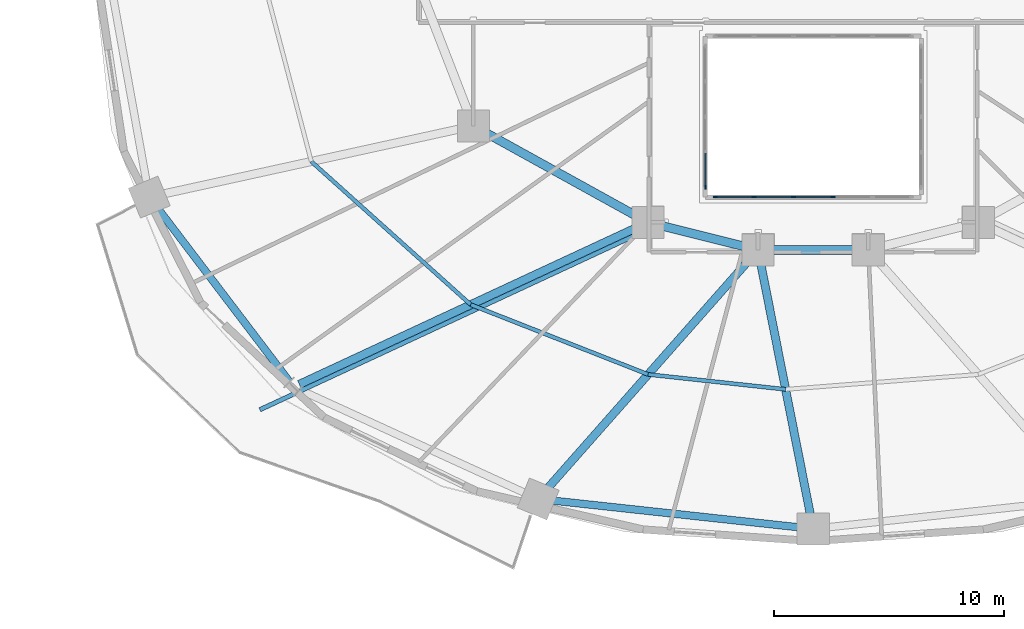
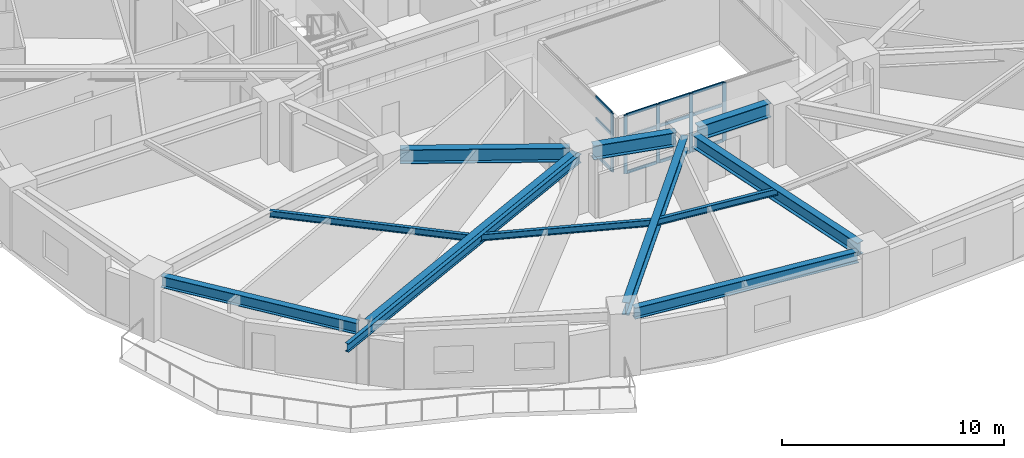
# One storey, part 3 of 17: 17 members, 12 beams, 2 elements without a shape of their own.
"""IFC4 building model written with IfcOpenShell, lengths in metres."""

import ifcopenshell
import ifcopenshell.guid

model = None  # the IFC model being written
_history = None  # IfcOwnerHistory: only IFC2X3 demands one
_inside = {}  # id of a spatial element -> (the spatial element, [elements in it])
_under = {}  # id of a project, library or spatial element -> (it, [spatial elements below it])
_declared = {}  # id of a project -> (the project, [libraries it declares])
_typed = {}  # id of a type object -> (the type object, [elements of that type])
_made_of = {}  # id of a material, layer set ... -> (it, [elements and type objects made of it])


def new_model(schema):
    """Start an empty IFC model of exactly this schema.

    Asked for "IFC4X3", IfcOpenShell would pick the latest addendum, in which some entities
    have other attributes; the version numbers below select the first issue.
    IFC2X3 requires an IfcOwnerHistory on every rooted entity: one is made here for all.
    """
    global model, _history
    if schema == "IFC4X3":
        model = ifcopenshell.file(schema_version=(4, 3, 0, 0))
    else:
        model = ifcopenshell.file(schema=schema)
    _inside.clear()
    _under.clear()
    _declared.clear()
    _typed.clear()
    _made_of.clear()
    _history = None
    if model.schema == "IFC2X3":
        org = make("IfcOrganization", Name="unknown")
        user = make(
            "IfcPersonAndOrganization",
            ThePerson=make("IfcPerson", FamilyName="unknown"),
            TheOrganization=org,
        )
        app = make(
            "IfcApplication",
            ApplicationDeveloper=org,
            Version="unknown",
            ApplicationFullName="unknown",
            ApplicationIdentifier="unknown",
        )
        _history = make(
            "IfcOwnerHistory",
            OwningUser=user,
            OwningApplication=app,
            ChangeAction="ADDED",
            CreationDate=0,
        )
    return model


def make(cls, **values):
    """One entity of the class cls with the attributes given. An attribute that is None is left unset."""
    return model.create_entity(
        cls, **{name: value for name, value in values.items() if value is not None}
    )


def rooted(cls, **values):
    """An entity with a GlobalId (a new one), such as an element, a storey or a relation."""
    return make(cls, GlobalId=ifcopenshell.guid.new(), OwnerHistory=_history, **values)


def si_unit(unit_type, name, prefix=None):
    """IfcSIUnit, for example si_unit("LENGTHUNIT", "METRE", prefix="MILLI")."""
    return make("IfcSIUnit", UnitType=unit_type, Prefix=prefix, Name=name)


def assignment(units):
    """IfcUnitAssignment: the units of a project."""
    return None if units is None else make("IfcUnitAssignment", Units=units)


def point(xyz):
    """IfcCartesianPoint."""
    return None if xyz is None else make("IfcCartesianPoint", Coordinates=xyz)


def direction(xyz):
    """IfcDirection."""
    return None if xyz is None else make("IfcDirection", DirectionRatios=xyz)


def frame(location, z_axis=None, x_axis=None):
    """IfcAxis2Placement3D, a coordinate frame: its origin and axes. An axis left out is left unset."""
    return make(
        "IfcAxis2Placement3D",
        Location=point(location),
        Axis=direction(z_axis),
        RefDirection=direction(x_axis),
    )


def frame_2d(location, x_axis=None):
    """IfcAxis2Placement2D, a coordinate frame in the plane: its origin and x axis."""
    return make(
        "IfcAxis2Placement2D", Location=point(location), RefDirection=direction(x_axis)
    )


def origin():
    """The frame at (0, 0, 0) with its axes left unset."""
    return frame((0.0, 0.0, 0.0))


def origin_2d():
    """The frame at (0, 0) in the plane with its x axis left unset."""
    return frame_2d((0.0, 0.0))


def place(relative_to, where):
    """IfcLocalPlacement: puts the frame where relative to a parent placement (None: the world)."""
    return make(
        "IfcLocalPlacement", PlacementRelTo=relative_to, RelativePlacement=where
    )


def context(
    kind, dimensions, precision=None, world=None, true_north=None, identifier=None
):
    """IfcGeometricRepresentationContext, for example the 3D "Model" context."""
    return make(
        "IfcGeometricRepresentationContext",
        ContextIdentifier=identifier,
        ContextType=kind,
        CoordinateSpaceDimension=dimensions,
        Precision=precision,
        WorldCoordinateSystem=world,
        TrueNorth=true_north,
    )


def subcontext(parent, identifier, kind, view, scale=None):
    """IfcGeometricRepresentationSubContext, for example "Body" below "Model"."""
    return make(
        "IfcGeometricRepresentationSubContext",
        ContextIdentifier=identifier,
        ContextType=kind,
        ParentContext=parent,
        TargetScale=scale,
        TargetView=view,
    )


def project(units=None, contexts=None):
    """IfcProject with its units and contexts."""
    return rooted(
        "IfcProject",
        Name="project",
        RepresentationContexts=contexts,
        UnitsInContext=assignment(units),
    )


def spatial(cls, under=None, at=None, **own):
    """A site, building, storey or space (cls), placed at a placement, below another one or the project."""
    s = rooted(cls, ObjectPlacement=at, **own)
    if under is not None:
        _under.setdefault(under.id(), (under, []))[1].append(s)
    return s


def profile(cls, at=None, kind="AREA", **sizes):
    """A parametric profile (cls). Its sizes go by their IFC names, for example OverallWidth=200.0."""
    return make(cls, ProfileType=kind, Position=at, **sizes)


def rectangle(**sizes):
    """IfcRectangleProfileDef."""
    return profile("IfcRectangleProfileDef", **sizes)


def i_section(**sizes):
    """IfcIShapeProfileDef."""
    return profile("IfcIShapeProfileDef", **sizes)


def extrude(swept, where, along, depth):
    """IfcExtrudedAreaSolid: the profile swept, set in the frame where, extruded along a direction by depth."""
    return make(
        "IfcExtrudedAreaSolid",
        SweptArea=swept,
        Position=where,
        ExtrudedDirection=direction(along),
        Depth=depth,
    )


def shape(context_of_items, identifier, shape_type, items):
    """IfcShapeRepresentation: the items that make up one representation, for example the "Body"."""
    return make(
        "IfcShapeRepresentation",
        ContextOfItems=context_of_items,
        RepresentationIdentifier=identifier,
        RepresentationType=shape_type,
        Items=items,
    )


def material(Name=None, Category=None):
    """IfcMaterial."""
    return make("IfcMaterial", Name=Name, Category=Category)


def material_profile(
    of_material, cross_section, Name=None, Category=None, Priority=None
):
    """IfcMaterialProfile: a cross section and its material."""
    return make(
        "IfcMaterialProfile",
        Name=Name,
        Material=of_material,
        Profile=cross_section,
        Priority=Priority,
        Category=Category,
    )


def profile_set(profiles, Name=None, composite=None):
    """IfcMaterialProfileSet."""
    return make(
        "IfcMaterialProfileSet",
        Name=Name,
        MaterialProfiles=profiles,
        CompositeProfile=composite,
    )


def made_of(thing, what):
    """Note that an element or type object is made of a material, layer set ...; save() writes the relation."""
    if what is not None:
        _made_of.setdefault(what.id(), (what, []))[1].append(thing)
    return thing


def type_object(cls, material=None, **own):
    """A type object (cls), such as IfcWallType, which elements share."""
    return made_of(rooted(cls, **own), material)


def element(
    cls,
    number,
    at=None,
    inside=None,
    cuts=None,
    type_object=None,
    material=None,
    context=None,
    identifier="Body",
    shape_type=None,
    held_by="IfcProductDefinitionShape",
    body=None,
    shapes=None,
    **own,
):
    """One element of the class cls, such as IfcWall. Its Tag is "e" and its number.

    at: its placement. inside: the storey or other place that contains it. cuts: it is an
    opening in that element (IfcRelVoidsElement). A single representation is given by context,
    identifier, shape_type and body (its items); several are given by shapes. held_by: the class
    of the entity that holds the representations. save() writes the other relations.
    """
    e = rooted(cls, Tag="e%d" % number, ObjectPlacement=at, **own)
    if body is not None:
        shapes = [shape(context, identifier, shape_type, body)]
    if shapes is not None:
        e.Representation = make(held_by, Representations=shapes)
    if inside is not None:
        _inside.setdefault(inside.id(), (inside, []))[1].append(e)
    if cuts is not None:
        rooted(
            "IfcRelVoidsElement", RelatingBuildingElement=cuts, RelatedOpeningElement=e
        )
    if type_object is not None:
        _typed.setdefault(type_object.id(), (type_object, []))[1].append(e)
    return made_of(e, material)


def aggregate(whole, parts):
    """IfcRelAggregates: a whole, such as a stair, and the parts it consists of."""
    return rooted("IfcRelAggregates", RelatingObject=whole, RelatedObjects=parts)


def save(model, path):
    """Write the relations noted so far, then the file.

    IfcRelAggregates (storeys below a building ...), IfcRelContainedInSpatialStructure (elements
    in a storey), IfcRelDefinesByType, IfcRelAssociatesMaterial and IfcRelDeclares: one each for
    every whole, place, type object, material and project.
    """
    for whole, parts in _under.values():
        aggregate(whole, parts)
    for where, things in _inside.values():
        rooted(
            "IfcRelContainedInSpatialStructure",
            RelatedElements=things,
            RelatingStructure=where,
        )
    for kind, things in _typed.values():
        rooted("IfcRelDefinesByType", RelatedObjects=things, RelatingType=kind)
    for what, things in _made_of.values():
        rooted("IfcRelAssociatesMaterial", RelatedObjects=things, RelatingMaterial=what)
    for by, libraries in _declared.values():
        rooted("IfcRelDeclares", RelatingContext=by, RelatedDefinitions=libraries)
    model.write(path)


model = new_model("IFC4")

# Units and contexts
model_context = context("Model", 3, precision=1e-05, world=origin(), true_north=direction((0.0, 1.0)))
body_context = subcontext(model_context, "Body", "Model", "MODEL_VIEW")
ifc_project = project(units=[si_unit("LENGTHUNIT", "METRE"), si_unit("AREAUNIT", "SQUARE_METRE"), si_unit("VOLUMEUNIT", "CUBIC_METRE"), si_unit("PLANEANGLEUNIT", "RADIAN"), si_unit("MASSUNIT", "GRAM", prefix="KILO")], contexts=[model_context])

# Site, building, storey
site_placement = place(None, origin())
site = spatial("IfcSite", under=ifc_project, at=site_placement, CompositionType="ELEMENT")
building_placement = place(site_placement, origin())
building = spatial("IfcBuilding", under=site, at=building_placement, Name="Haldorwick Loom Tower", CompositionType="ELEMENT")
storey_placement = place(building_placement, frame((0.0, 0.0, 37.800048828125)))
storey = spatial("IfcBuildingStorey", under=building, at=storey_placement, Name="L09", CompositionType="ELEMENT", Elevation=37.800048828125)

# Curtain wall, members
ifc_material_1 = material(Name="Thermally Broken Anodized Aluminium Curtain Wall Framing", Category="aluminium")
curtain_wall_type = type_object("IfcCurtainWallType", Name="ARC-CW-03", PredefinedType="NOTDEFINED", material=ifc_material_1)
curtain_wall_1_placement = place(storey_placement, origin())
curtain_wall_1 = element("IfcCurtainWall", 1, at=curtain_wall_1_placement, inside=storey, type_object=curtain_wall_type, Name="L09 Atrium Glazed Screen S", PredefinedType="NOTDEFINED")
ifc_material_profile_1 = material_profile(ifc_material_1, rectangle(XDim=0.06591796875, YDim=0.18505859375, at=origin_2d()), Name="ALU_MUL_66X185", Category="aluminium")
ifc_profile_set_1 = profile_set([ifc_material_profile_1], Name="Thermally Broken Anodized Aluminium Curtain Wall Framing")
member_type_1 = type_object("IfcMemberType", Name="ARC-CWM-03", PredefinedType="MULLION", material=ifc_profile_set_1)
member_1_placement = place(storey_placement, frame((36.860107421875, 16.699951171875, 0.0), z_axis=(0.0, 0.0, 1.0), x_axis=(0.0, -1.0, 0.0)))
member_1 = element("IfcMember", 2, at=member_1_placement, type_object=member_type_1, Name="CW-03 mullion 3", PredefinedType="MULLION", context=body_context, shape_type="SweptSolid", body=[
    extrude(rectangle(XDim=0.06591796875, YDim=0.18505859375, at=origin_2d()), origin(), (0.0, 0.0, 1.0), 3.2099609375),
])
member_2_placement = place(storey_placement, frame((35.139892578125, 16.699951171875, 0.0), z_axis=(0.0, 0.0, 1.0), x_axis=(0.0, -1.0, 0.0)))
member_2 = element("IfcMember", 3, at=member_2_placement, type_object=member_type_1, Name="CW-03 mullion 4", PredefinedType="MULLION", context=body_context, shape_type="SweptSolid", body=[
    extrude(rectangle(XDim=0.06591796875, YDim=0.18505859375, at=origin_2d()), origin(), (0.0, 0.0, 1.0), 3.2099609375),
])
member_3_placement = place(storey_placement, frame((33.419921875, 16.699951171875, 0.0), z_axis=(0.0, 0.0, 1.0), x_axis=(0.0, -1.0, 0.0)))
member_3 = element("IfcMember", 4, at=member_3_placement, type_object=member_type_1, Name="CW-03 mullion 5", PredefinedType="MULLION", context=body_context, shape_type="SweptSolid", body=[
    extrude(rectangle(XDim=0.06591796875, YDim=0.18505859375, at=origin_2d()), origin(), (0.0, 0.0, 1.0), 3.2099609375),
])
member_4_placement = place(storey_placement, frame((31.73291015625, 16.699951171875, 0.0), z_axis=(0.0, 0.0, 1.0), x_axis=(0.0, -1.0, 0.0)))
member_4 = element("IfcMember", 5, at=member_4_placement, type_object=member_type_1, Name="CW-03 mullion 6", PredefinedType="MULLION", context=body_context, shape_type="SweptSolid", body=[
    extrude(rectangle(XDim=0.06591796875, YDim=0.18505859375, at=origin_2d()), origin(), (0.0, 0.0, 1.0), 3.2099609375),
])

# Curtain wall, member
curtain_wall_2_placement = place(storey_placement, origin())
curtain_wall_2 = element("IfcCurtainWall", 6, at=curtain_wall_2_placement, inside=storey, type_object=curtain_wall_type, Name="L09 Atrium Glazed Screen W", PredefinedType="NOTDEFINED")
member_5_placement = place(storey_placement, frame((31.300048828125, 17.133056640625, 0.0), z_axis=(0.0, 0.0, 1.0), x_axis=(-1.0, 0.0, 0.0)))
member_5 = element("IfcMember", 7, at=member_5_placement, type_object=member_type_1, Name="CW-03 mullion 1", PredefinedType="MULLION", context=body_context, shape_type="SweptSolid", body=[
    extrude(rectangle(XDim=0.06591796875, YDim=0.18505859375, at=origin_2d()), origin(), (0.0, 0.0, 1.0), 3.2099609375),
])

# Member
ifc_material_profile_2 = material_profile(ifc_material_1, rectangle(XDim=0.06591796875, YDim=0.1650390625, at=origin_2d()), Name="ALU_TRN_66X165", Category="aluminium")
ifc_profile_set_2 = profile_set([ifc_material_profile_2], Name="Thermally Broken Anodized Aluminium Curtain Wall Framing")
member_type_2 = type_object("IfcMemberType", Name="ARC-CWT-03", PredefinedType="USERDEFINED", material=ifc_profile_set_2)
member_6_placement = place(storey_placement, frame((36.826904296875, 16.699951171875, 0.032958984375), z_axis=(-1.0, 0.0, 0.0), x_axis=(0.0, -1.0, 0.0)))
member_6 = element("IfcMember", 8, at=member_6_placement, type_object=member_type_2, Name="CW-03 transom 3.1", ObjectType="TRANSOM", PredefinedType="USERDEFINED", context=body_context, shape_type="SweptSolid", body=[
    extrude(rectangle(XDim=0.06591796875, YDim=0.1650390625, at=origin_2d()), origin(), (0.0, 0.0, 1.0), 1.65380859375),
])

member_7_placement = place(storey_placement, frame((36.826904296875, 16.699951171875, 2.0), z_axis=(-1.0, 0.0, 0.0), x_axis=(0.0, -1.0, 0.0)))
member_7 = element("IfcMember", 9, at=member_7_placement, type_object=member_type_2, Name="CW-03 transom 3.2", ObjectType="TRANSOM", PredefinedType="USERDEFINED", context=body_context, shape_type="SweptSolid", body=[
    extrude(rectangle(XDim=0.06591796875, YDim=0.1650390625, at=origin_2d()), origin(), (0.0, 0.0, 1.0), 1.65380859375),
])

member_8_placement = place(storey_placement, frame((36.826904296875, 16.699951171875, 3.177001953125), z_axis=(-1.0, 0.0, 0.0), x_axis=(0.0, -1.0, 0.0)))
member_8 = element("IfcMember", 10, at=member_8_placement, type_object=member_type_2, Name="CW-03 transom 3.3", ObjectType="TRANSOM", PredefinedType="USERDEFINED", context=body_context, shape_type="SweptSolid", body=[
    extrude(rectangle(XDim=0.06591796875, YDim=0.1650390625, at=origin_2d()), origin(), (0.0, 0.0, 1.0), 1.65380859375),
])

member_9_placement = place(storey_placement, frame((35.10693359375, 16.699951171875, 0.032958984375), z_axis=(-1.0, 0.0, 0.0), x_axis=(0.0, -1.0, 0.0)))
member_9 = element("IfcMember", 11, at=member_9_placement, type_object=member_type_2, Name="CW-03 transom 4.1", ObjectType="TRANSOM", PredefinedType="USERDEFINED", context=body_context, shape_type="SweptSolid", body=[
    extrude(rectangle(XDim=0.06591796875, YDim=0.1650390625, at=origin_2d()), origin(), (0.0, 0.0, 1.0), 1.654052734375),
])

member_10_placement = place(storey_placement, frame((35.10693359375, 16.699951171875, 2.0), z_axis=(-1.0, 0.0, 0.0), x_axis=(0.0, -1.0, 0.0)))
member_10 = element("IfcMember", 12, at=member_10_placement, type_object=member_type_2, Name="CW-03 transom 4.2", ObjectType="TRANSOM", PredefinedType="USERDEFINED", context=body_context, shape_type="SweptSolid", body=[
    extrude(rectangle(XDim=0.06591796875, YDim=0.1650390625, at=origin_2d()), origin(), (0.0, 0.0, 1.0), 1.654052734375),
])

member_11_placement = place(storey_placement, frame((35.10693359375, 16.699951171875, 3.177001953125), z_axis=(-1.0, 0.0, 0.0), x_axis=(0.0, -1.0, 0.0)))
member_11 = element("IfcMember", 13, at=member_11_placement, type_object=member_type_2, Name="CW-03 transom 4.3", ObjectType="TRANSOM", PredefinedType="USERDEFINED", context=body_context, shape_type="SweptSolid", body=[
    extrude(rectangle(XDim=0.06591796875, YDim=0.1650390625, at=origin_2d()), origin(), (0.0, 0.0, 1.0), 1.654052734375),
])

member_12_placement = place(storey_placement, frame((33.386962890625, 16.699951171875, 0.032958984375), z_axis=(-1.0, 0.0, 0.0), x_axis=(0.0, -1.0, 0.0)))
member_12 = element("IfcMember", 14, at=member_12_placement, type_object=member_type_2, Name="CW-03 transom 5.1", ObjectType="TRANSOM", PredefinedType="USERDEFINED", context=body_context, shape_type="SweptSolid", body=[
    extrude(rectangle(XDim=0.06591796875, YDim=0.1650390625, at=origin_2d()), origin(), (0.0, 0.0, 1.0), 1.620849609375),
])

member_13_placement = place(storey_placement, frame((33.386962890625, 16.699951171875, 2.0), z_axis=(-1.0, 0.0, 0.0), x_axis=(0.0, -1.0, 0.0)))
member_13 = element("IfcMember", 15, at=member_13_placement, type_object=member_type_2, Name="CW-03 transom 5.2", ObjectType="TRANSOM", PredefinedType="USERDEFINED", context=body_context, shape_type="SweptSolid", body=[
    extrude(rectangle(XDim=0.06591796875, YDim=0.1650390625, at=origin_2d()), origin(), (0.0, 0.0, 1.0), 1.620849609375),
])

member_14_placement = place(storey_placement, frame((33.386962890625, 16.699951171875, 3.177001953125), z_axis=(-1.0, 0.0, 0.0), x_axis=(0.0, -1.0, 0.0)))
member_14 = element("IfcMember", 16, at=member_14_placement, type_object=member_type_2, Name="CW-03 transom 5.3", ObjectType="TRANSOM", PredefinedType="USERDEFINED", context=body_context, shape_type="SweptSolid", body=[
    extrude(rectangle(XDim=0.06591796875, YDim=0.1650390625, at=origin_2d()), origin(), (0.0, 0.0, 1.0), 1.620849609375),
])

aggregate(curtain_wall_1, [member_1, member_2, member_3, member_4, member_6, member_7, member_8, member_9, member_10, member_11, member_12, member_13, member_14])

member_15_placement = place(storey_placement, frame((31.300048828125, 17.166015625, 0.032958984375), z_axis=(0.0, 1.0, 0.0), x_axis=(-1.0, 0.0, 0.0)))
member_15 = element("IfcMember", 17, at=member_15_placement, type_object=member_type_2, Name="CW-03 transom 1.1", ObjectType="TRANSOM", PredefinedType="USERDEFINED", context=body_context, shape_type="SweptSolid", body=[
    extrude(rectangle(XDim=0.06591796875, YDim=0.1650390625, at=origin_2d()), origin(), (0.0, 0.0, 1.0), 1.450927734375),
])

member_16_placement = place(storey_placement, frame((31.300048828125, 17.166015625, 2.0), z_axis=(0.0, 1.0, 0.0), x_axis=(-1.0, 0.0, 0.0)))
member_16 = element("IfcMember", 18, at=member_16_placement, type_object=member_type_2, Name="CW-03 transom 1.2", ObjectType="TRANSOM", PredefinedType="USERDEFINED", context=body_context, shape_type="SweptSolid", body=[
    extrude(rectangle(XDim=0.06591796875, YDim=0.1650390625, at=origin_2d()), origin(), (0.0, 0.0, 1.0), 1.450927734375),
])

member_17_placement = place(storey_placement, frame((31.300048828125, 17.166015625, 3.177001953125), z_axis=(0.0, 1.0, 0.0), x_axis=(-1.0, 0.0, 0.0)))
member_17 = element("IfcMember", 19, at=member_17_placement, type_object=member_type_2, Name="CW-03 transom 1.3", ObjectType="TRANSOM", PredefinedType="USERDEFINED", context=body_context, shape_type="SweptSolid", body=[
    extrude(rectangle(XDim=0.06591796875, YDim=0.1650390625, at=origin_2d()), origin(), (0.0, 0.0, 1.0), 1.450927734375),
])

aggregate(curtain_wall_2, [member_5, member_15, member_16, member_17])

# Beams
ifc_material_2 = material(Name="Steel CSA G40.21 350W", Category="steel")
ifc_material_profile_3 = material_profile(ifc_material_2, i_section(OverallWidth=0.193115234375, OverallDepth=0.466064453125, WebThickness=0.011474609375, FlangeThickness=0.01904296875, at=origin_2d()), Name="W460X97", Category="steel")
ifc_profile_set_3 = profile_set([ifc_material_profile_3], Name="Steel CSA G40.21 350W")
beam_type_1 = type_object("IfcBeamType", Name="STR-BM-BAL460", PredefinedType="BEAM", material=ifc_profile_set_3)
beam_1_placement = place(storey_placement, frame((28.446533203125, 15.126953125, 2.97705078125), z_axis=(-0.906840784049, -0.421473359047, 0.0), x_axis=(0.421473359047, -0.906840784049, 0.0)))
element("IfcBeam", 20, at=beam_1_placement, inside=storey, type_object=beam_type_1, Name="L09 Continuous Back-Spanned Balcony Beam 2", PredefinedType="BEAM", context=body_context, shape_type="SweptSolid", body=[
    extrude(i_section(OverallWidth=0.193115234375, OverallDepth=0.466064453125, WebThickness=0.011474609375, FlangeThickness=0.01904296875, at=origin_2d()), origin(), (0.0, 0.0, 1.0), 18.245361328125),
])
ifc_material_profile_4 = material_profile(ifc_material_2, i_section(OverallWidth=0.172119140625, OverallDepth=0.35791015625, WebThickness=0.0078125, FlangeThickness=0.01318359375, at=origin_2d()), Name="W360X57", Category="steel")
ifc_profile_set_4 = profile_set([ifc_material_profile_4], Name="Steel CSA G40.21 350W")
beam_type_2 = type_object("IfcBeamType", Name="STR-BM-J360", PredefinedType="JOIST", material=ifc_profile_set_4)
beam_2_placement = place(storey_placement, frame((14.141357421875, 18.25048828125, 3.031005859375), z_axis=(0.743981830112, -0.668199847698, 0.0), x_axis=(0.668199847698, 0.743981830112, 0.0)))
element("IfcBeam", 21, at=beam_2_placement, inside=storey, type_object=beam_type_2, Name="L09 Mid-Bay Secondary Joist 10", PredefinedType="JOIST", context=body_context, shape_type="SweptSolid", body=[
    extrude(i_section(OverallWidth=0.172119140625, OverallDepth=0.35791015625, WebThickness=0.0078125, FlangeThickness=0.01318359375, at=origin_2d()), origin(), (0.0, 0.0, 1.0), 9.3330078125),
])
beam_3_placement = place(storey_placement, frame((21.0849609375, 12.01416015625, 3.031005859375), z_axis=(0.930584838237, -0.366076301941, 0.0), x_axis=(0.366076301941, 0.930584838237, 0.0)))
element("IfcBeam", 22, at=beam_3_placement, inside=storey, type_object=beam_type_2, Name="L09 Mid-Bay Secondary Joist 11", PredefinedType="JOIST", context=body_context, shape_type="SweptSolid", body=[
    extrude(i_section(OverallWidth=0.172119140625, OverallDepth=0.35791015625, WebThickness=0.0078125, FlangeThickness=0.01318359375, at=origin_2d()), origin(), (0.0, 0.0, 1.0), 8.302490234375),
])
beam_4_placement = place(storey_placement, frame((28.81103515625, 8.974853515625, 3.031005859375), z_axis=(0.994163660215, -0.107882420753, 0.0), x_axis=(0.107882420753, 0.994163660215, 0.0)))
element("IfcBeam", 23, at=beam_4_placement, inside=storey, type_object=beam_type_2, Name="L09 Mid-Bay Secondary Joist 12", PredefinedType="JOIST", context=body_context, shape_type="SweptSolid", body=[
    extrude(i_section(OverallWidth=0.172119140625, OverallDepth=0.35791015625, WebThickness=0.0078125, FlangeThickness=0.01318359375, at=origin_2d()), origin(), (0.0, 0.0, 1.0), 6.024169921875),
])
ifc_material_profile_5 = material_profile(ifc_material_2, i_section(OverallWidth=0.324951171875, OverallDepth=0.615966796875, WebThickness=0.013916015625, FlangeThickness=0.021484375, at=origin_2d()), Name="W610X174", Category="steel")
ifc_profile_set_5 = profile_set([ifc_material_profile_5], Name="Steel CSA G40.21 350W")
beam_type_3 = type_object("IfcBeamType", Name="STR-BM-SP610", PredefinedType="SPANDREL", material=ifc_profile_set_5)
beam_5_placement = place(storey_placement, frame((7.397216796875, 16.286865234375, 2.90185546875), z_axis=(0.605084557744, -0.796161213562, 0.0), x_axis=(0.796161213562, 0.605084557744, 0.0)))
element("IfcBeam", 24, at=beam_5_placement, inside=storey, type_object=beam_type_3, Name="L09 Perimeter Spandrel 10", PredefinedType="SPANDREL", context=body_context, shape_type="SweptSolid", body=[
    extrude(i_section(OverallWidth=0.324951171875, OverallDepth=0.615966796875, WebThickness=0.013916015625, FlangeThickness=0.021484375, at=origin_2d()), origin(), (0.0, 0.0, 1.0), 9.595703125),
])
beam_6_placement = place(storey_placement, frame((24.5390625, 3.49365234375, 2.90185546875), z_axis=(0.994164438636, -0.107875247167, 0.0), x_axis=(0.107875247167, 0.994164438636, 0.0)))
element("IfcBeam", 25, at=beam_6_placement, inside=storey, type_object=beam_type_3, Name="L09 Perimeter Spandrel 12", PredefinedType="SPANDREL", context=body_context, shape_type="SweptSolid", body=[
    extrude(i_section(OverallWidth=0.324951171875, OverallDepth=0.615966796875, WebThickness=0.013916015625, FlangeThickness=0.021484375, at=origin_2d()), origin(), (0.0, 0.0, 1.0), 11.008056640625),
])
ifc_material_profile_6 = material_profile(ifc_material_2, i_section(OverallWidth=0.35498046875, OverallDepth=0.695068359375, WebThickness=0.015380859375, FlangeThickness=0.02490234375, at=origin_2d()), Name="W690X217", Category="steel")
ifc_profile_set_6 = profile_set([ifc_material_profile_6], Name="Steel CSA G40.21 350W")
beam_type_4 = type_object("IfcBeamType", Name="STR-BM-W690", PredefinedType="BEAM", material=ifc_profile_set_6)
beam_7_placement = place(storey_placement, frame((28.328369140625, 15.380859375, 2.862548828125), z_axis=(-0.90683498532, -0.421485835349, 0.0), x_axis=(0.421485835349, -0.90683498532, 0.0)))
element("IfcBeam", 26, at=beam_7_placement, inside=storey, type_object=beam_type_4, Name="L09 Radial Floor Girder 11", PredefinedType="BEAM", context=body_context, shape_type="SweptSolid", body=[
    extrude(i_section(OverallWidth=0.35498046875, OverallDepth=0.695068359375, WebThickness=0.015380859375, FlangeThickness=0.02490234375, at=origin_2d()), origin(), (0.0, 0.0, 1.0), 16.220458984375),
])
beam_8_placement = place(storey_placement, frame((33.255859375, 14.01025390625, 2.862548828125), z_axis=(-0.661774304332, -0.749703121326, 0.0), x_axis=(0.749703121326, -0.661774304332, 0.0)))
element("IfcBeam", 27, at=beam_8_placement, inside=storey, type_object=beam_type_4, Name="L09 Radial Floor Girder 12", PredefinedType="BEAM", context=body_context, shape_type="SweptSolid", body=[
    extrude(i_section(OverallWidth=0.35498046875, OverallDepth=0.695068359375, WebThickness=0.015380859375, FlangeThickness=0.02490234375, at=origin_2d()), origin(), (0.0, 0.0, 1.0), 13.43310546875),
])
beam_9_placement = place(storey_placement, frame((33.70068359375, 13.889892578125, 2.862548828125), z_axis=(0.193785651115, -0.981043893729, 0.0), x_axis=(0.981043893729, 0.193785651115, 0.0)))
element("IfcBeam", 28, at=beam_9_placement, inside=storey, type_object=beam_type_4, Name="L09 Radial Floor Girder 13", PredefinedType="BEAM", context=body_context, shape_type="SweptSolid", body=[
    extrude(i_section(OverallWidth=0.35498046875, OverallDepth=0.695068359375, WebThickness=0.015380859375, FlangeThickness=0.02490234375, at=origin_2d()), origin(), (0.0, 0.0, 1.0), 11.344970703125),
])
ifc_material_profile_7 = material_profile(ifc_material_2, i_section(OverallWidth=0.381103515625, OverallDepth=0.77294921875, WebThickness=0.0166015625, FlangeThickness=0.027587890625, at=origin_2d()), Name="W760X257", Category="steel")
ifc_profile_set_7 = profile_set([ifc_material_profile_7], Name="Steel CSA G40.21 350W")
beam_type_5 = type_object("IfcBeamType", Name="STR-BM-W760", PredefinedType="BEAM", material=ifc_profile_set_7)
beam_10_placement = place(storey_placement, frame((37.8798828125, 14.39990234375, 2.823486328125), z_axis=(-1.0, 0.0, 0.0), x_axis=(0.0, -1.0, 0.0)))
element("IfcBeam", 29, at=beam_10_placement, inside=storey, type_object=beam_type_5, Name="L09 Inner Ring Girder 5", PredefinedType="BEAM", context=body_context, shape_type="SweptSolid", body=[
    extrude(i_section(OverallWidth=0.381103515625, OverallDepth=0.77294921875, WebThickness=0.0166015625, FlangeThickness=0.027587890625, at=origin_2d()), origin(), (0.0, 0.0, 1.0), 3.759765625),
])
beam_11_placement = place(storey_placement, frame((33.095458984375, 14.526123046875, 2.823486328125), z_axis=(-0.970142500145, 0.242535625036, 0.0), x_axis=(-0.242535625036, -0.970142500145, 0.0)))
element("IfcBeam", 30, at=beam_11_placement, inside=storey, type_object=beam_type_5, Name="L09 Inner Ring Girder 6", PredefinedType="BEAM", context=body_context, shape_type="SweptSolid", body=[
    extrude(i_section(OverallWidth=0.381103515625, OverallDepth=0.77294921875, WebThickness=0.0166015625, FlangeThickness=0.027587890625, at=origin_2d()), origin(), (0.0, 0.0, 1.0), 3.90771484375),
])
beam_12_placement = place(storey_placement, frame((28.344970703125, 15.8515625, 2.823486328125), z_axis=(-0.875244382146, 0.483680960471, 0.0), x_axis=(-0.483680960471, -0.875244382146, 0.0)))
element("IfcBeam", 31, at=beam_12_placement, inside=storey, type_object=beam_type_5, Name="L09 Inner Ring Girder 7", PredefinedType="BEAM", context=body_context, shape_type="SweptSolid", body=[
    extrude(i_section(OverallWidth=0.381103515625, OverallDepth=0.77294921875, WebThickness=0.0166015625, FlangeThickness=0.027587890625, at=origin_2d()), origin(), (0.0, 0.0, 1.0), 7.6435546875),
])

save(model, "model.ifc")
